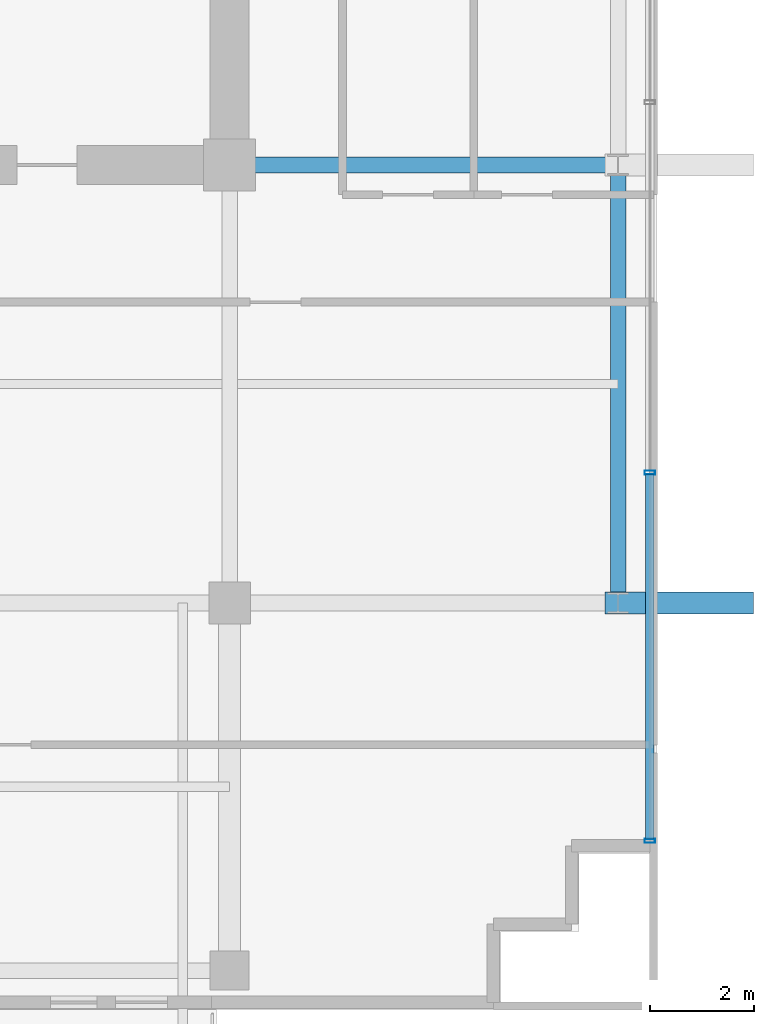
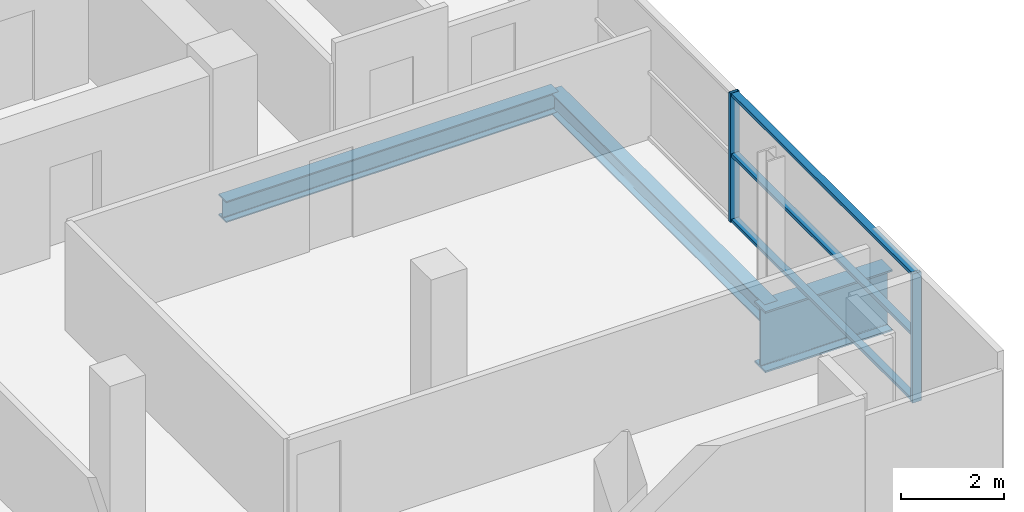
# One storey, part 7 of 23: 5 members, 3 beams, 1 element without a shape of its own.
"""IFC4 building model written with IfcOpenShell, lengths in metres."""

from ifc_helpers import new_model, si_unit, direction, frame, origin, origin_2d, place, context, subcontext, project, spatial, hollow_rectangle, i_section, extrude, source, transform, mapped, material, layer, layer_set, material_profile, profile_set, type_object, element, aggregate, save


model = new_model("IFC4")

# Units and contexts
model_context = context("Model", 3, precision=1e-05, world=origin(), true_north=direction((0.0, 1.0)))
body_context = subcontext(model_context, "Body", "Model", "MODEL_VIEW")
ifc_project = project(units=[si_unit("LENGTHUNIT", "METRE"), si_unit("AREAUNIT", "SQUARE_METRE"), si_unit("VOLUMEUNIT", "CUBIC_METRE"), si_unit("PLANEANGLEUNIT", "RADIAN"), si_unit("MASSUNIT", "GRAM", prefix="KILO")], contexts=[model_context])

# Site, building, storey
site_placement = place(None, origin())
site = spatial("IfcSite", under=ifc_project, at=site_placement, CompositionType="ELEMENT")
building_placement = place(site_placement, origin())
building = spatial("IfcBuilding", under=site, at=building_placement, Name="Zarnakvel Exchange Tower", CompositionType="ELEMENT")
storey_placement = place(building_placement, frame((0.0, 0.0, 146.199951171875)))
storey = spatial("IfcBuildingStorey", under=building, at=storey_placement, Name="L40", CompositionType="ELEMENT", Elevation=146.199951171875)

# Beams
ifc_material_1 = material(Name="Steel S355", Category="steel")
ifc_material_profile_1 = material_profile(ifc_material_1, i_section(OverallWidth=0.300048828125, OverallDepth=0.5, WebThickness=0.014404296875, FlangeThickness=0.028076171875, FilletRadius=0.027099609375, at=origin_2d()))
ifc_profile_set_1 = profile_set([ifc_material_profile_1], Name="Steel S355")
beam_type_1 = type_object("IfcBeamType", Name="G-06", PredefinedType="BEAM", material=ifc_profile_set_1)
beam_1_placement = place(storey_placement, frame((14.39990234375, -1.199951171875, -0.474853515625), z_axis=(1.0, 0.0, 0.0), x_axis=(0.0, 1.0, 0.0)))
element("IfcBeam", 1, at=beam_1_placement, inside=storey, type_object=beam_type_1, Name="L40 Tower E-W Frame Beam", PredefinedType="BEAM", context=body_context, shape_type="SweptSolid", body=[
    extrude(i_section(OverallWidth=0.300048828125, OverallDepth=0.5, WebThickness=0.014404296875, FlangeThickness=0.028076171875, FilletRadius=0.027099609375, at=origin_2d()), origin(), (0.0, 0.0, 1.0), 7.4501953125),
])
ifc_material_profile_2 = material_profile(ifc_material_1, i_section(OverallWidth=0.300048828125, OverallDepth=0.5, WebThickness=0.014404296875, FlangeThickness=0.028076171875, FilletRadius=0.027099609375, at=origin_2d()))
ifc_profile_set_2 = profile_set([ifc_material_profile_2], Name="Steel S355")
beam_type_2 = type_object("IfcBeamType", Name="SP-02", PredefinedType="SPANDREL", material=ifc_profile_set_2)
beam_2_placement = place(storey_placement, frame((21.85009765625, -9.60009765625, -0.474853515625), z_axis=(0.0, 1.0, 0.0), x_axis=(-1.0, 0.0, 0.0)))
element("IfcBeam", 2, at=beam_2_placement, inside=storey, type_object=beam_type_2, Name="L40 Tower N-S Frame Beam", PredefinedType="SPANDREL", context=body_context, shape_type="SweptSolid", body=[
    extrude(i_section(OverallWidth=0.300048828125, OverallDepth=0.5, WebThickness=0.014404296875, FlangeThickness=0.028076171875, FilletRadius=0.027099609375, at=origin_2d()), origin(), (0.0, 0.0, 1.0), 8.400146484375),
])
ifc_material_2 = material(Name="Steel S460", Category="steel")
ifc_material_profile_3 = material_profile(ifc_material_2, i_section(OverallWidth=0.419921875, OverallDepth=1.449951171875, WebThickness=0.02392578125, FlangeThickness=0.0400390625, FilletRadius=0.030029296875, at=origin_2d()))
ifc_profile_set_3 = profile_set([ifc_material_profile_3], Name="Steel S460")
beam_type_3 = type_object("IfcBeamType", Name="TG-01", PredefinedType="BEAM", material=ifc_profile_set_3)
beam_3_placement = place(storey_placement, frame((21.60009765625, -9.60009765625, -0.949951171875), z_axis=(1.0, 0.0, 0.0), x_axis=(0.0, 1.0, 0.0)))
element("IfcBeam", 3, at=beam_3_placement, inside=storey, type_object=beam_type_3, Name="L40 Setback E-W Transfer Girder TE-C", PredefinedType="BEAM", context=body_context, shape_type="SweptSolid", body=[
    extrude(i_section(OverallWidth=0.419921875, OverallDepth=1.449951171875, WebThickness=0.02392578125, FlangeThickness=0.0400390625, FilletRadius=0.030029296875, at=origin_2d()), origin(), (0.0, 0.0, 1.0), 2.849853515625),
])

# Curtain wall, members
ifc_material_3 = material(Name="Architectural Bronze Anodised Aluminium", Category="aluminium")
ifc_layer = layer(ifc_material_3, 0.199951171875)
ifc_layer_set = layer_set([ifc_layer], Name="Architectural Bronze Anodised Aluminium")
curtain_wall_type = type_object("IfcCurtainWallType", Name="CW-04", PredefinedType="NOTDEFINED", material=ifc_layer_set)
curtain_wall_placement = place(storey_placement, origin())
curtain_wall = element("IfcCurtainWall", 4, at=curtain_wall_placement, inside=storey, type_object=curtain_wall_type, Name="L40 Curtain Wall CW-L40-E1 (CW-04)", PredefinedType="NOTDEFINED")
ifc_material_profile_4 = material_profile(ifc_material_3, hollow_rectangle(XDim=0.199951171875, YDim=0.074951171875, WallThickness=0.0048828125, at=origin_2d()))
ifc_profile_set_4 = profile_set([ifc_material_profile_4], Name="Architectural Bronze Anodised Aluminium")
member_type_1 = type_object("IfcMemberType", Name="CWM-04", PredefinedType="MULLION", material=ifc_profile_set_4)
shared_shape_1 = source(origin(), body_context, "Body", "SweptSolid", [
    extrude(hollow_rectangle(XDim=0.199951171875, YDim=0.074951171875, WallThickness=0.0048828125, at=origin_2d()), origin(), (0.0, 0.0, 1.0), 3.054931640625),
])
member_1_placement = place(storey_placement, frame((22.4599609375, -14.16259765625, 0.0), z_axis=(0.0, 0.0, 1.0), x_axis=(-1.0, 0.0, 0.0)))
member_1 = element("IfcMember", 5, at=member_1_placement, type_object=member_type_1, Name="CW-04 mullion 1", PredefinedType="MULLION", context=body_context, shape_type="MappedRepresentation", body=[
    mapped(shared_shape_1, transform((0.0, 0.0, 0.0), x_axis=(1.0, 0.0, 0.0), y_axis=(0.0, 1.0, 0.0), z_axis=(0.0, 0.0, 1.0), scale=1.0)),
])
member_2_placement = place(storey_placement, frame((22.4599609375, -7.10009765625, 0.0), z_axis=(0.0, 0.0, 1.0), x_axis=(-1.0, 0.0, 0.0)))
member_2 = element("IfcMember", 6, at=member_2_placement, type_object=member_type_1, Name="CW-04 mullion 2", PredefinedType="MULLION", context=body_context, shape_type="MappedRepresentation", body=[
    mapped(shared_shape_1, transform((0.0, 0.0, 0.0), x_axis=(1.0, 0.0, 0.0), y_axis=(0.0, 1.0, 0.0), z_axis=(0.0, 0.0, 1.0), scale=1.0)),
])
ifc_material_profile_5 = material_profile(ifc_material_3, hollow_rectangle(XDim=0.159912109375, YDim=0.074951171875, WallThickness=0.00390625, at=origin_2d()))
ifc_profile_set_5 = profile_set([ifc_material_profile_5], Name="Architectural Bronze Anodised Aluminium")
member_type_2 = type_object("IfcMemberType", Name="CWT-04", PredefinedType="USERDEFINED", material=ifc_profile_set_5)
shared_shape_2 = source(origin(), body_context, "Body", "SweptSolid", [
    extrude(hollow_rectangle(XDim=0.159912109375, YDim=0.074951171875, WallThickness=0.00390625, at=origin_2d()), origin(), (0.0, 0.0, 1.0), 6.987548828125),
])
member_3_placement = place(storey_placement, frame((22.4599609375, -14.125, 0.03759765625), z_axis=(0.0, 1.0, 0.0), x_axis=(-1.0, 0.0, 0.0)))
member_3 = element("IfcMember", 7, at=member_3_placement, type_object=member_type_2, Name="CW-04 transom 1.1", ObjectType="TRANSOM", PredefinedType="USERDEFINED", context=body_context, shape_type="MappedRepresentation", body=[
    mapped(shared_shape_2, transform((0.0, 0.0, 0.0), x_axis=(1.0, 0.0, 0.0), y_axis=(0.0, 1.0, 0.0), z_axis=(0.0, 0.0, 1.0), scale=1.0)),
])
member_4_placement = place(storey_placement, frame((22.4599609375, -14.125, 1.588623046875), z_axis=(0.0, 1.0, 0.0), x_axis=(-1.0, 0.0, 0.0)))
member_4 = element("IfcMember", 8, at=member_4_placement, type_object=member_type_2, Name="CW-04 transom 1.2", ObjectType="TRANSOM", PredefinedType="USERDEFINED", context=body_context, shape_type="MappedRepresentation", body=[
    mapped(shared_shape_2, transform((0.0, 0.0, 0.0), x_axis=(1.0, 0.0, 0.0), y_axis=(0.0, 1.0, 0.0), z_axis=(0.0, 0.0, 1.0), scale=1.0)),
])
member_5_placement = place(storey_placement, frame((22.4599609375, -14.125, 3.017578125), z_axis=(0.0, 1.0, 0.0), x_axis=(-1.0, 0.0, 0.0)))
member_5 = element("IfcMember", 9, at=member_5_placement, type_object=member_type_2, Name="CW-04 transom 1.3", ObjectType="TRANSOM", PredefinedType="USERDEFINED", context=body_context, shape_type="MappedRepresentation", body=[
    mapped(shared_shape_2, transform((0.0, 0.0, 0.0), x_axis=(1.0, 0.0, 0.0), y_axis=(0.0, 1.0, 0.0), z_axis=(0.0, 0.0, 1.0), scale=1.0)),
])
aggregate(curtain_wall, [member_1, member_2, member_3, member_4, member_5])

save(model, "model.ifc")
